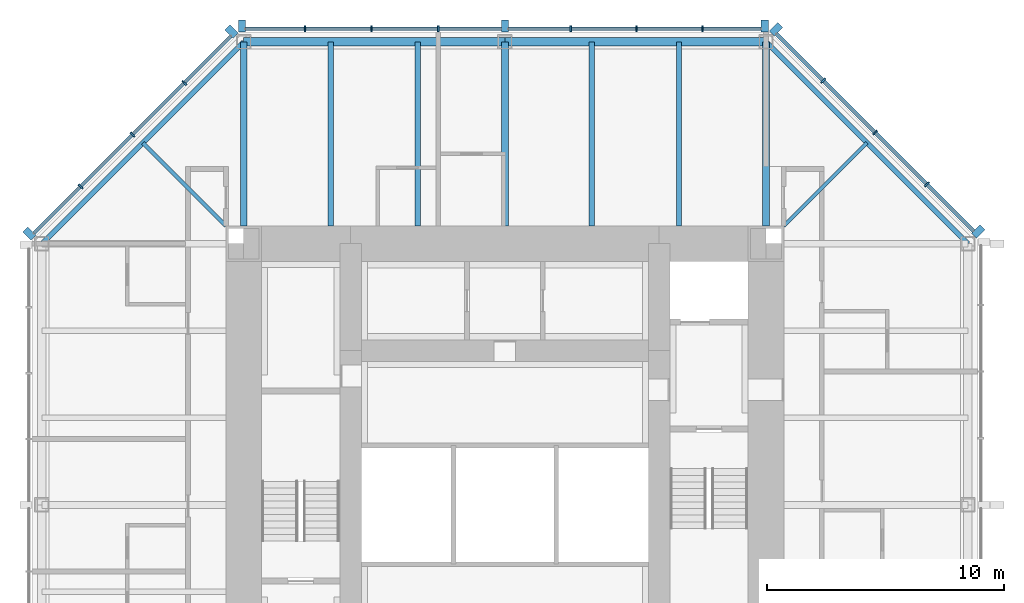
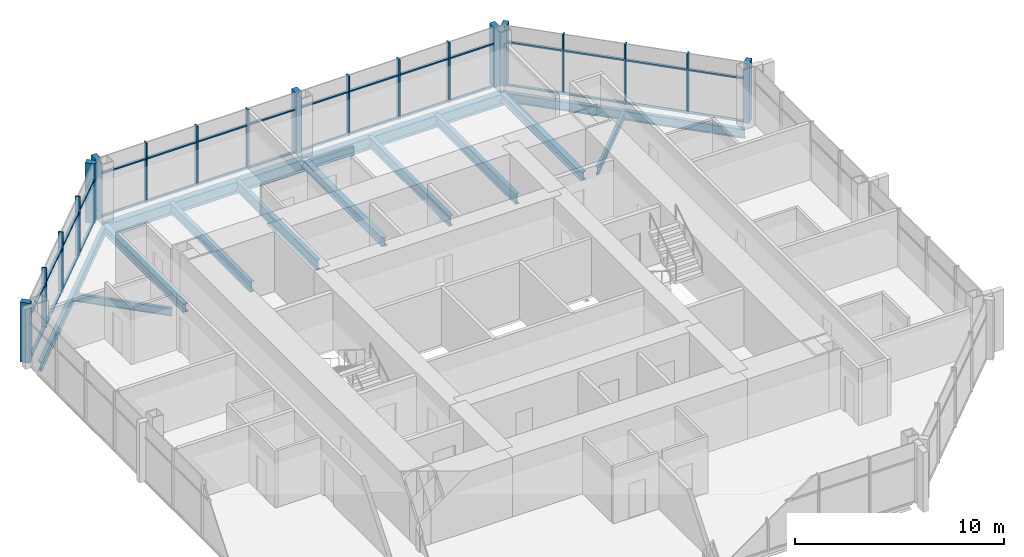
# One storey, part 5 of 11: 51 members, 13 beams, 3 elements without a shape of their own.
"""IFC4 building model written with IfcOpenShell, lengths in metres."""

from ifc_helpers import new_model, si_unit, direction, frame, origin, origin_2d, place, context, subcontext, project, spatial, rectangle, i_section, extrude, material, material_profile, profile_set, type_object, element, aggregate, save


model = new_model("IFC4")

# Units and contexts
model_context = context("Model", 3, precision=1e-05, world=origin(), true_north=direction((0.0, 1.0)))
body_context = subcontext(model_context, "Body", "Model", "MODEL_VIEW")
ifc_project = project(units=[si_unit("LENGTHUNIT", "METRE"), si_unit("AREAUNIT", "SQUARE_METRE"), si_unit("VOLUMEUNIT", "CUBIC_METRE"), si_unit("PLANEANGLEUNIT", "RADIAN"), si_unit("MASSUNIT", "GRAM", prefix="KILO")], contexts=[model_context])

# Site, building, storey
site_placement = place(None, origin())
site = spatial("IfcSite", under=ifc_project, at=site_placement, CompositionType="ELEMENT")
building_placement = place(site_placement, origin())
building = spatial("IfcBuilding", under=site, at=building_placement, Name="Trevanion Tower", CompositionType="ELEMENT")
storey_placement = place(building_placement, frame((0.0, 0.0, 239.699951171875)))
storey = spatial("IfcBuildingStorey", under=building, at=storey_placement, Name="L58", CompositionType="ELEMENT", Elevation=239.699951171875)

# Beams
ifc_material_1 = material(Name="Steel ASTM A992 Grade 50", Category="steel")
ifc_material_profile_1 = material_profile(ifc_material_1, i_section(OverallWidth=0.228271484375, OverallDepth=0.607177734375, WebThickness=0.01123046875, FlangeThickness=0.017333984375, at=origin_2d()), Name="W24X76")
ifc_profile_set_1 = profile_set([ifc_material_profile_1], Name="Steel ASTM A992 Grade 50")
beam_type_1 = type_object("IfcBeamType", Name="B11 W24X76", PredefinedType="BEAM", material=ifc_profile_set_1)
for number, where, z_axis, x_axis, name in (
    (1, (7.333251953125, 11.75, -0.493408203125), (0.0, 1.0, 0.0), (-1.0, 0.0, 0.0), "B11 L58"),
    (2, (3.666748046875, 11.75, -0.493408203125), (0.0, 1.0, 0.0), (-1.0, 0.0, 0.0), "B11 L58"),
    (3, (-3.666748046875, 11.75, -0.493408203125), (0.0, 1.0, 0.0), (-1.0, 0.0, 0.0), "B11 L58"),
    (4, (-7.333251953125, 11.75, -0.493408203125), (0.0, 1.0, 0.0), (-1.0, 0.0, 0.0), "B11 L58"),
):
    element("IfcBeam", number, at=place(storey_placement, frame(where, z_axis=z_axis, x_axis=x_axis)), inside=storey, type_object=beam_type_1, Name=name, PredefinedType="BEAM", context=body_context, shape_type="SweptSolid", body=[
        extrude(i_section(OverallWidth=0.228271484375, OverallDepth=0.607177734375, WebThickness=0.01123046875, FlangeThickness=0.017333984375, at=origin_2d()), origin(), (0.0, 0.0, 1.0), 7.75),
    ])
ifc_material_2 = material(Name="Steel ASTM A992 Grade 50", Category="steel")
ifc_material_profile_2 = material_profile(ifc_material_2, i_section(OverallWidth=0.15234375, OverallDepth=0.449462890625, WebThickness=0.007568359375, FlangeThickness=0.0107421875, at=origin_2d()), Name="W18X35")
ifc_profile_set_2 = profile_set([ifc_material_profile_2], Name="Steel ASTM A992 Grade 50")
beam_type_2 = type_object("IfcBeamType", Name="B12 W18X35", PredefinedType="BEAM", material=ifc_profile_set_2)
for number, where, z_axis, x_axis, name in (
    (5, (11.75, 11.75, -0.414794921875), (0.707106781187, 0.707106781187, 0.0), (-0.707106781187, 0.707106781187, 0.0), "B12 L58"),
    (6, (-11.75, 11.75, -0.414794921875), (-0.707106781187, 0.707106781187, 0.0), (-0.707106781187, -0.707106781187, 0.0), "B12 L58"),
):
    element("IfcBeam", number, at=place(storey_placement, frame(where, z_axis=z_axis, x_axis=x_axis)), inside=storey, type_object=beam_type_2, Name=name, PredefinedType="BEAM", context=body_context, shape_type="SweptSolid", body=[
        extrude(i_section(OverallWidth=0.15234375, OverallDepth=0.449462890625, WebThickness=0.007568359375, FlangeThickness=0.0107421875, at=origin_2d()), origin(), (0.0, 0.0, 1.0), 4.94970703125),
    ])

# Curtain wall, members
ifc_material_3 = material(Name="Aluminium and glass", Category="aluminium")
curtain_wall_type = type_object("IfcCurtainWallType", Name="CW3 curtain wall", PredefinedType="USERDEFINED", material=ifc_material_3)
curtain_wall_1_placement = place(storey_placement, origin())
curtain_wall_1 = element("IfcCurtainWall", 7, at=curtain_wall_1_placement, inside=storey, type_object=curtain_wall_type, Name="CW3 L58 1", ObjectType="UNITISED CURTAIN WALL", PredefinedType="USERDEFINED")
ifc_material_4 = material(Name="Aluminium extrusion, anodised bronze", Category="aluminium")
ifc_material_profile_3 = material_profile(ifc_material_4, rectangle(XDim=0.074951171875, YDim=0.25, at=origin_2d()), Name="CW3 mullion")
ifc_profile_set_3 = profile_set([ifc_material_profile_3], Name="Aluminium extrusion, anodised bronze")
member_type_1 = type_object("IfcMemberType", Name="CW3 mullion", PredefinedType="MULLION", material=ifc_profile_set_3)
member_1_placement = place(storey_placement, frame((17.775390625, 13.502197265625, -0.18994140625), z_axis=(0.0, 0.0, 1.0), x_axis=(-0.707106781187, 0.707106781187, 0.0)))
member_1 = element("IfcMember", 8, at=member_1_placement, type_object=member_type_1, Name="CW3 mullion 2", PredefinedType="MULLION", context=body_context, shape_type="SweptSolid", body=[
    extrude(rectangle(XDim=0.074951171875, YDim=0.25, at=origin_2d()), origin(), (0.0, 0.0, 1.0), 3.5),
])
member_2_placement = place(storey_placement, frame((15.593017578125, 15.684814453125, -0.18994140625), z_axis=(0.0, 0.0, 1.0), x_axis=(-0.707106781187, 0.707106781187, 0.0)))
member_2 = element("IfcMember", 9, at=member_2_placement, type_object=member_type_1, Name="CW3 mullion 3", PredefinedType="MULLION", context=body_context, shape_type="SweptSolid", body=[
    extrude(rectangle(XDim=0.074951171875, YDim=0.25, at=origin_2d()), origin(), (0.0, 0.0, 1.0), 3.5),
])
member_3_placement = place(storey_placement, frame((13.410400390625, 17.867431640625, -0.18994140625), z_axis=(0.0, 0.0, 1.0), x_axis=(-0.707106781187, 0.707106781187, 0.0)))
member_3 = element("IfcMember", 10, at=member_3_placement, type_object=member_type_1, Name="CW3 mullion 4", PredefinedType="MULLION", context=body_context, shape_type="SweptSolid", body=[
    extrude(rectangle(XDim=0.074951171875, YDim=0.25, at=origin_2d()), origin(), (0.0, 0.0, 1.0), 3.5),
])

curtain_wall_2_placement = place(storey_placement, origin())
curtain_wall_2 = element("IfcCurtainWall", 11, at=curtain_wall_2_placement, inside=storey, type_object=curtain_wall_type, Name="CW3 L58 2", ObjectType="UNITISED CURTAIN WALL", PredefinedType="USERDEFINED")
member_4_placement = place(storey_placement, frame((8.323486328125, 20.050048828125, -0.18994140625), z_axis=(0.0, 0.0, 1.0), x_axis=(-1.0, 0.0, 0.0)))
member_4 = element("IfcMember", 12, at=member_4_placement, type_object=member_type_1, Name="CW3 mullion 2", PredefinedType="MULLION", context=body_context, shape_type="SweptSolid", body=[
    extrude(rectangle(XDim=0.074951171875, YDim=0.25, at=origin_2d()), origin(), (0.0, 0.0, 1.0), 3.5),
])
member_5_placement = place(storey_placement, frame((5.548828125, 20.050048828125, -0.18994140625), z_axis=(0.0, 0.0, 1.0), x_axis=(-1.0, 0.0, 0.0)))
member_5 = element("IfcMember", 13, at=member_5_placement, type_object=member_type_1, Name="CW3 mullion 3", PredefinedType="MULLION", context=body_context, shape_type="SweptSolid", body=[
    extrude(rectangle(XDim=0.074951171875, YDim=0.25, at=origin_2d()), origin(), (0.0, 0.0, 1.0), 3.5),
])
member_6_placement = place(storey_placement, frame((2.7744140625, 20.050048828125, -0.18994140625), z_axis=(0.0, 0.0, 1.0), x_axis=(-1.0, 0.0, 0.0)))
member_6 = element("IfcMember", 14, at=member_6_placement, type_object=member_type_1, Name="CW3 mullion 4", PredefinedType="MULLION", context=body_context, shape_type="SweptSolid", body=[
    extrude(rectangle(XDim=0.074951171875, YDim=0.25, at=origin_2d()), origin(), (0.0, 0.0, 1.0), 3.5),
])
member_7_placement = place(storey_placement, frame((-2.806884765625, 20.050048828125, -0.18994140625), z_axis=(0.0, 0.0, 1.0), x_axis=(-1.0, 0.0, 0.0)))
member_7 = element("IfcMember", 15, at=member_7_placement, type_object=member_type_1, Name="CW3 mullion 6", PredefinedType="MULLION", context=body_context, shape_type="SweptSolid", body=[
    extrude(rectangle(XDim=0.074951171875, YDim=0.25, at=origin_2d()), origin(), (0.0, 0.0, 1.0), 3.5),
])
member_8_placement = place(storey_placement, frame((-5.614013671875, 20.050048828125, -0.18994140625), z_axis=(0.0, 0.0, 1.0), x_axis=(-1.0, 0.0, 0.0)))
member_8 = element("IfcMember", 16, at=member_8_placement, type_object=member_type_1, Name="CW3 mullion 7", PredefinedType="MULLION", context=body_context, shape_type="SweptSolid", body=[
    extrude(rectangle(XDim=0.074951171875, YDim=0.25, at=origin_2d()), origin(), (0.0, 0.0, 1.0), 3.5),
])
member_9_placement = place(storey_placement, frame((-8.4208984375, 20.050048828125, -0.18994140625), z_axis=(0.0, 0.0, 1.0), x_axis=(-1.0, 0.0, 0.0)))
member_9 = element("IfcMember", 17, at=member_9_placement, type_object=member_type_1, Name="CW3 mullion 8", PredefinedType="MULLION", context=body_context, shape_type="SweptSolid", body=[
    extrude(rectangle(XDim=0.074951171875, YDim=0.25, at=origin_2d()), origin(), (0.0, 0.0, 1.0), 3.5),
])

curtain_wall_3_placement = place(storey_placement, origin())
curtain_wall_3 = element("IfcCurtainWall", 18, at=curtain_wall_3_placement, inside=storey, type_object=curtain_wall_type, Name="CW3 L58 3", ObjectType="UNITISED CURTAIN WALL", PredefinedType="USERDEFINED")
member_10_placement = place(storey_placement, frame((-13.502197265625, 17.775390625, -0.18994140625), z_axis=(0.0, 0.0, 1.0), x_axis=(-0.707106781187, -0.707106781187, 0.0)))
member_10 = element("IfcMember", 19, at=member_10_placement, type_object=member_type_1, Name="CW3 mullion 2", PredefinedType="MULLION", context=body_context, shape_type="SweptSolid", body=[
    extrude(rectangle(XDim=0.074951171875, YDim=0.25, at=origin_2d()), origin(), (0.0, 0.0, 1.0), 3.5),
])
member_11_placement = place(storey_placement, frame((-15.684814453125, 15.593017578125, -0.18994140625), z_axis=(0.0, 0.0, 1.0), x_axis=(-0.707106781187, -0.707106781187, 0.0)))
member_11 = element("IfcMember", 20, at=member_11_placement, type_object=member_type_1, Name="CW3 mullion 3", PredefinedType="MULLION", context=body_context, shape_type="SweptSolid", body=[
    extrude(rectangle(XDim=0.074951171875, YDim=0.25, at=origin_2d()), origin(), (0.0, 0.0, 1.0), 3.5),
])
member_12_placement = place(storey_placement, frame((-17.867431640625, 13.410400390625, -0.18994140625), z_axis=(0.0, 0.0, 1.0), x_axis=(-0.707106781187, -0.707106781187, 0.0)))
member_12 = element("IfcMember", 21, at=member_12_placement, type_object=member_type_1, Name="CW3 mullion 4", PredefinedType="MULLION", context=body_context, shape_type="SweptSolid", body=[
    extrude(rectangle(XDim=0.074951171875, YDim=0.25, at=origin_2d()), origin(), (0.0, 0.0, 1.0), 3.5),
])

# Member
ifc_material_5 = material(Name="Aluminium extrusion, anodised bronze", Category="aluminium")
ifc_material_profile_4 = material_profile(ifc_material_5, rectangle(XDim=0.300048828125, YDim=0.5, at=origin_2d()), Name="CW3 pier mullion")
ifc_profile_set_4 = profile_set([ifc_material_profile_4], Name="Aluminium extrusion, anodised bronze")
member_type_2 = type_object("IfcMemberType", Name="CW3 pier mullion", PredefinedType="MULLION", material=ifc_profile_set_4)
member_13_placement = place(storey_placement, frame((19.9404296875, 11.51416015625, -0.18994140625), z_axis=(0.0, 0.0, 1.0), x_axis=(-0.707106781187, 0.707106781187, 0.0)))
member_13 = element("IfcMember", 22, at=member_13_placement, type_object=member_type_2, Name="CW3 pier mullion 1", PredefinedType="MULLION", context=body_context, shape_type="SweptSolid", body=[
    extrude(rectangle(XDim=0.300048828125, YDim=0.5, at=origin_2d()), origin(), (0.0, 0.0, 1.0), 3.5),
])

member_14_placement = place(storey_placement, frame((11.42236328125, 20.0322265625, -0.18994140625), z_axis=(0.0, 0.0, 1.0), x_axis=(-0.707106781187, 0.707106781187, 0.0)))
member_14 = element("IfcMember", 23, at=member_14_placement, type_object=member_type_2, Name="CW3 pier mullion 5", PredefinedType="MULLION", context=body_context, shape_type="SweptSolid", body=[
    extrude(rectangle(XDim=0.300048828125, YDim=0.5, at=origin_2d()), origin(), (0.0, 0.0, 1.0), 3.5),
])

member_15_placement = place(storey_placement, frame((10.94775390625, 20.175048828125, -0.18994140625), z_axis=(0.0, 0.0, 1.0), x_axis=(-1.0, 0.0, 0.0)))
member_15 = element("IfcMember", 24, at=member_15_placement, type_object=member_type_2, Name="CW3 pier mullion 1", PredefinedType="MULLION", context=body_context, shape_type="SweptSolid", body=[
    extrude(rectangle(XDim=0.300048828125, YDim=0.5, at=origin_2d()), origin(), (0.0, 0.0, 1.0), 3.5),
])

member_16_placement = place(storey_placement, frame((0.0, 20.175048828125, -0.18994140625), z_axis=(0.0, 0.0, 1.0), x_axis=(-1.0, 0.0, 0.0)))
member_16 = element("IfcMember", 25, at=member_16_placement, type_object=member_type_2, Name="CW3 pier mullion 5", PredefinedType="MULLION", context=body_context, shape_type="SweptSolid", body=[
    extrude(rectangle(XDim=0.300048828125, YDim=0.5, at=origin_2d()), origin(), (0.0, 0.0, 1.0), 3.5),
])

member_17_placement = place(storey_placement, frame((-11.077880859375, 20.175048828125, -0.18994140625), z_axis=(0.0, 0.0, 1.0), x_axis=(-1.0, 0.0, 0.0)))
member_17 = element("IfcMember", 26, at=member_17_placement, type_object=member_type_2, Name="CW3 pier mullion 9", PredefinedType="MULLION", context=body_context, shape_type="SweptSolid", body=[
    extrude(rectangle(XDim=0.300048828125, YDim=0.5, at=origin_2d()), origin(), (0.0, 0.0, 1.0), 3.5),
])

member_18_placement = place(storey_placement, frame((-11.51416015625, 19.9404296875, -0.18994140625), z_axis=(0.0, 0.0, 1.0), x_axis=(-0.707106781187, -0.707106781187, 0.0)))
member_18 = element("IfcMember", 27, at=member_18_placement, type_object=member_type_2, Name="CW3 pier mullion 1", PredefinedType="MULLION", context=body_context, shape_type="SweptSolid", body=[
    extrude(rectangle(XDim=0.300048828125, YDim=0.5, at=origin_2d()), origin(), (0.0, 0.0, 1.0), 3.5),
])

member_19_placement = place(storey_placement, frame((-20.0322265625, 11.42236328125, -0.18994140625), z_axis=(0.0, 0.0, 1.0), x_axis=(-0.707106781187, -0.707106781187, 0.0)))
member_19 = element("IfcMember", 28, at=member_19_placement, type_object=member_type_2, Name="CW3 pier mullion 5", PredefinedType="MULLION", context=body_context, shape_type="SweptSolid", body=[
    extrude(rectangle(XDim=0.300048828125, YDim=0.5, at=origin_2d()), origin(), (0.0, 0.0, 1.0), 3.5),
])

ifc_material_6 = material(Name="Aluminium extrusion, anodised bronze", Category="aluminium")
ifc_material_profile_5 = material_profile(ifc_material_6, rectangle(XDim=0.14990234375, YDim=0.074951171875, at=origin_2d()), Name="CW3 transom")
ifc_profile_set_5 = profile_set([ifc_material_profile_5], Name="Aluminium extrusion, anodised bronze")
member_type_3 = type_object("IfcMemberType", Name="CW3 transom", PredefinedType="USERDEFINED", material=ifc_profile_set_5)
member_20_placement = place(storey_placement, frame((19.745849609375, 11.531982421875, -0.15234375), z_axis=(-0.707106781187, 0.707106781187, 0.0), x_axis=(-0.707106781187, -0.707106781187, 0.0)))
member_20 = element("IfcMember", 29, at=member_20_placement, type_object=member_type_3, Name="CW3 transom 1.1", ObjectType="TRANSOM", PredefinedType="USERDEFINED", context=body_context, shape_type="SweptSolid", body=[
    extrude(rectangle(XDim=0.14990234375, YDim=0.074951171875, at=origin_2d()), origin(), (0.0, 0.0, 1.0), 2.7490234375),
])

member_21_placement = place(storey_placement, frame((19.745849609375, 11.531982421875, 2.360107421875), z_axis=(-0.707106781187, 0.707106781187, 0.0), x_axis=(-0.707106781187, -0.707106781187, 0.0)))
member_21 = element("IfcMember", 30, at=member_21_placement, type_object=member_type_3, Name="CW3 transom 1.2", ObjectType="TRANSOM", PredefinedType="USERDEFINED", context=body_context, shape_type="SweptSolid", body=[
    extrude(rectangle(XDim=0.14990234375, YDim=0.074951171875, at=origin_2d()), origin(), (0.0, 0.0, 1.0), 2.7490234375),
])

member_22_placement = place(storey_placement, frame((17.7490234375, 13.52880859375, -0.15234375), z_axis=(-0.707106781187, 0.707106781187, 0.0), x_axis=(-0.707106781187, -0.707106781187, 0.0)))
member_22 = element("IfcMember", 31, at=member_22_placement, type_object=member_type_3, Name="CW3 transom 2.1", ObjectType="TRANSOM", PredefinedType="USERDEFINED", context=body_context, shape_type="SweptSolid", body=[
    extrude(rectangle(XDim=0.14990234375, YDim=0.074951171875, at=origin_2d()), origin(), (0.0, 0.0, 1.0), 3.01171875),
])

member_23_placement = place(storey_placement, frame((17.7490234375, 13.52880859375, 2.360107421875), z_axis=(-0.707106781187, 0.707106781187, 0.0), x_axis=(-0.707106781187, -0.707106781187, 0.0)))
member_23 = element("IfcMember", 32, at=member_23_placement, type_object=member_type_3, Name="CW3 transom 2.2", ObjectType="TRANSOM", PredefinedType="USERDEFINED", context=body_context, shape_type="SweptSolid", body=[
    extrude(rectangle(XDim=0.14990234375, YDim=0.074951171875, at=origin_2d()), origin(), (0.0, 0.0, 1.0), 3.01171875),
])

member_24_placement = place(storey_placement, frame((15.56640625, 15.71142578125, -0.15234375), z_axis=(-0.707106781187, 0.707106781187, 0.0), x_axis=(-0.707106781187, -0.707106781187, 0.0)))
member_24 = element("IfcMember", 33, at=member_24_placement, type_object=member_type_3, Name="CW3 transom 3.1", ObjectType="TRANSOM", PredefinedType="USERDEFINED", context=body_context, shape_type="SweptSolid", body=[
    extrude(rectangle(XDim=0.14990234375, YDim=0.074951171875, at=origin_2d()), origin(), (0.0, 0.0, 1.0), 3.011474609375),
])

member_25_placement = place(storey_placement, frame((15.56640625, 15.71142578125, 2.360107421875), z_axis=(-0.707106781187, 0.707106781187, 0.0), x_axis=(-0.707106781187, -0.707106781187, 0.0)))
member_25 = element("IfcMember", 34, at=member_25_placement, type_object=member_type_3, Name="CW3 transom 3.2", ObjectType="TRANSOM", PredefinedType="USERDEFINED", context=body_context, shape_type="SweptSolid", body=[
    extrude(rectangle(XDim=0.14990234375, YDim=0.074951171875, at=origin_2d()), origin(), (0.0, 0.0, 1.0), 3.011474609375),
])

member_26_placement = place(storey_placement, frame((13.3837890625, 17.89404296875, -0.15234375), z_axis=(-0.707106781187, 0.707106781187, 0.0), x_axis=(-0.707106781187, -0.707106781187, 0.0)))
member_26 = element("IfcMember", 35, at=member_26_placement, type_object=member_type_3, Name="CW3 transom 4.1", ObjectType="TRANSOM", PredefinedType="USERDEFINED", context=body_context, shape_type="SweptSolid", body=[
    extrude(rectangle(XDim=0.14990234375, YDim=0.074951171875, at=origin_2d()), origin(), (0.0, 0.0, 1.0), 2.7490234375),
])

member_27_placement = place(storey_placement, frame((13.3837890625, 17.89404296875, 2.360107421875), z_axis=(-0.707106781187, 0.707106781187, 0.0), x_axis=(-0.707106781187, -0.707106781187, 0.0)))
member_27 = element("IfcMember", 36, at=member_27_placement, type_object=member_type_3, Name="CW3 transom 4.2", ObjectType="TRANSOM", PredefinedType="USERDEFINED", context=body_context, shape_type="SweptSolid", body=[
    extrude(rectangle(XDim=0.14990234375, YDim=0.074951171875, at=origin_2d()), origin(), (0.0, 0.0, 1.0), 2.7490234375),
])

aggregate(curtain_wall_1, [member_13, member_1, member_2, member_3, member_14, member_20, member_21, member_22, member_23, member_24, member_25, member_26, member_27])

member_28_placement = place(storey_placement, frame((10.7978515625, 20.050048828125, -0.15234375), z_axis=(-1.0, 0.0, 0.0), x_axis=(0.0, -1.0, 0.0)))
member_28 = element("IfcMember", 37, at=member_28_placement, type_object=member_type_3, Name="CW3 transom 1.1", ObjectType="TRANSOM", PredefinedType="USERDEFINED", context=body_context, shape_type="SweptSolid", body=[
    extrude(rectangle(XDim=0.14990234375, YDim=0.074951171875, at=origin_2d()), origin(), (0.0, 0.0, 1.0), 2.43701171875),
])

member_29_placement = place(storey_placement, frame((10.7978515625, 20.050048828125, 2.360107421875), z_axis=(-1.0, 0.0, 0.0), x_axis=(0.0, -1.0, 0.0)))
member_29 = element("IfcMember", 38, at=member_29_placement, type_object=member_type_3, Name="CW3 transom 1.2", ObjectType="TRANSOM", PredefinedType="USERDEFINED", context=body_context, shape_type="SweptSolid", body=[
    extrude(rectangle(XDim=0.14990234375, YDim=0.074951171875, at=origin_2d()), origin(), (0.0, 0.0, 1.0), 2.43701171875),
])

member_30_placement = place(storey_placement, frame((8.285888671875, 20.050048828125, -0.15234375), z_axis=(-1.0, 0.0, 0.0), x_axis=(0.0, -1.0, 0.0)))
member_30 = element("IfcMember", 39, at=member_30_placement, type_object=member_type_3, Name="CW3 transom 2.1", ObjectType="TRANSOM", PredefinedType="USERDEFINED", context=body_context, shape_type="SweptSolid", body=[
    extrude(rectangle(XDim=0.14990234375, YDim=0.074951171875, at=origin_2d()), origin(), (0.0, 0.0, 1.0), 2.699462890625),
])

member_31_placement = place(storey_placement, frame((8.285888671875, 20.050048828125, 2.360107421875), z_axis=(-1.0, 0.0, 0.0), x_axis=(0.0, -1.0, 0.0)))
member_31 = element("IfcMember", 40, at=member_31_placement, type_object=member_type_3, Name="CW3 transom 2.2", ObjectType="TRANSOM", PredefinedType="USERDEFINED", context=body_context, shape_type="SweptSolid", body=[
    extrude(rectangle(XDim=0.14990234375, YDim=0.074951171875, at=origin_2d()), origin(), (0.0, 0.0, 1.0), 2.699462890625),
])

member_32_placement = place(storey_placement, frame((5.511474609375, 20.050048828125, -0.15234375), z_axis=(-1.0, 0.0, 0.0), x_axis=(0.0, -1.0, 0.0)))
member_32 = element("IfcMember", 41, at=member_32_placement, type_object=member_type_3, Name="CW3 transom 3.1", ObjectType="TRANSOM", PredefinedType="USERDEFINED", context=body_context, shape_type="SweptSolid", body=[
    extrude(rectangle(XDim=0.14990234375, YDim=0.074951171875, at=origin_2d()), origin(), (0.0, 0.0, 1.0), 2.699462890625),
])

member_33_placement = place(storey_placement, frame((5.511474609375, 20.050048828125, 2.360107421875), z_axis=(-1.0, 0.0, 0.0), x_axis=(0.0, -1.0, 0.0)))
member_33 = element("IfcMember", 42, at=member_33_placement, type_object=member_type_3, Name="CW3 transom 3.2", ObjectType="TRANSOM", PredefinedType="USERDEFINED", context=body_context, shape_type="SweptSolid", body=[
    extrude(rectangle(XDim=0.14990234375, YDim=0.074951171875, at=origin_2d()), origin(), (0.0, 0.0, 1.0), 2.699462890625),
])

member_34_placement = place(storey_placement, frame((2.737060546875, 20.050048828125, -0.15234375), z_axis=(-1.0, 0.0, 0.0), x_axis=(0.0, -1.0, 0.0)))
member_34 = element("IfcMember", 43, at=member_34_placement, type_object=member_type_3, Name="CW3 transom 4.1", ObjectType="TRANSOM", PredefinedType="USERDEFINED", context=body_context, shape_type="SweptSolid", body=[
    extrude(rectangle(XDim=0.14990234375, YDim=0.074951171875, at=origin_2d()), origin(), (0.0, 0.0, 1.0), 2.587158203125),
])

member_35_placement = place(storey_placement, frame((2.737060546875, 20.050048828125, 2.360107421875), z_axis=(-1.0, 0.0, 0.0), x_axis=(0.0, -1.0, 0.0)))
member_35 = element("IfcMember", 44, at=member_35_placement, type_object=member_type_3, Name="CW3 transom 4.2", ObjectType="TRANSOM", PredefinedType="USERDEFINED", context=body_context, shape_type="SweptSolid", body=[
    extrude(rectangle(XDim=0.14990234375, YDim=0.074951171875, at=origin_2d()), origin(), (0.0, 0.0, 1.0), 2.587158203125),
])

member_36_placement = place(storey_placement, frame((-0.14990234375, 20.050048828125, -0.15234375), z_axis=(-1.0, 0.0, 0.0), x_axis=(0.0, -1.0, 0.0)))
member_36 = element("IfcMember", 45, at=member_36_placement, type_object=member_type_3, Name="CW3 transom 5.1", ObjectType="TRANSOM", PredefinedType="USERDEFINED", context=body_context, shape_type="SweptSolid", body=[
    extrude(rectangle(XDim=0.14990234375, YDim=0.074951171875, at=origin_2d()), origin(), (0.0, 0.0, 1.0), 2.619384765625),
])

member_37_placement = place(storey_placement, frame((-0.14990234375, 20.050048828125, 2.360107421875), z_axis=(-1.0, 0.0, 0.0), x_axis=(0.0, -1.0, 0.0)))
member_37 = element("IfcMember", 46, at=member_37_placement, type_object=member_type_3, Name="CW3 transom 5.2", ObjectType="TRANSOM", PredefinedType="USERDEFINED", context=body_context, shape_type="SweptSolid", body=[
    extrude(rectangle(XDim=0.14990234375, YDim=0.074951171875, at=origin_2d()), origin(), (0.0, 0.0, 1.0), 2.619384765625),
])

member_38_placement = place(storey_placement, frame((-2.844482421875, 20.050048828125, -0.15234375), z_axis=(-1.0, 0.0, 0.0), x_axis=(0.0, -1.0, 0.0)))
member_38 = element("IfcMember", 47, at=member_38_placement, type_object=member_type_3, Name="CW3 transom 6.1", ObjectType="TRANSOM", PredefinedType="USERDEFINED", context=body_context, shape_type="SweptSolid", body=[
    extrude(rectangle(XDim=0.14990234375, YDim=0.074951171875, at=origin_2d()), origin(), (0.0, 0.0, 1.0), 2.73193359375),
])

member_39_placement = place(storey_placement, frame((-2.844482421875, 20.050048828125, 2.360107421875), z_axis=(-1.0, 0.0, 0.0), x_axis=(0.0, -1.0, 0.0)))
member_39 = element("IfcMember", 48, at=member_39_placement, type_object=member_type_3, Name="CW3 transom 6.2", ObjectType="TRANSOM", PredefinedType="USERDEFINED", context=body_context, shape_type="SweptSolid", body=[
    extrude(rectangle(XDim=0.14990234375, YDim=0.074951171875, at=origin_2d()), origin(), (0.0, 0.0, 1.0), 2.73193359375),
])

member_40_placement = place(storey_placement, frame((-5.6513671875, 20.050048828125, -0.15234375), z_axis=(-1.0, 0.0, 0.0), x_axis=(0.0, -1.0, 0.0)))
member_40 = element("IfcMember", 49, at=member_40_placement, type_object=member_type_3, Name="CW3 transom 7.1", ObjectType="TRANSOM", PredefinedType="USERDEFINED", context=body_context, shape_type="SweptSolid", body=[
    extrude(rectangle(XDim=0.14990234375, YDim=0.074951171875, at=origin_2d()), origin(), (0.0, 0.0, 1.0), 2.73193359375),
])

member_41_placement = place(storey_placement, frame((-5.6513671875, 20.050048828125, 2.360107421875), z_axis=(-1.0, 0.0, 0.0), x_axis=(0.0, -1.0, 0.0)))
member_41 = element("IfcMember", 50, at=member_41_placement, type_object=member_type_3, Name="CW3 transom 7.2", ObjectType="TRANSOM", PredefinedType="USERDEFINED", context=body_context, shape_type="SweptSolid", body=[
    extrude(rectangle(XDim=0.14990234375, YDim=0.074951171875, at=origin_2d()), origin(), (0.0, 0.0, 1.0), 2.73193359375),
])

member_42_placement = place(storey_placement, frame((-8.45849609375, 20.050048828125, -0.15234375), z_axis=(-1.0, 0.0, 0.0), x_axis=(0.0, -1.0, 0.0)))
member_42 = element("IfcMember", 51, at=member_42_placement, type_object=member_type_3, Name="CW3 transom 8.1", ObjectType="TRANSOM", PredefinedType="USERDEFINED", context=body_context, shape_type="SweptSolid", body=[
    extrude(rectangle(XDim=0.14990234375, YDim=0.074951171875, at=origin_2d()), origin(), (0.0, 0.0, 1.0), 2.46923828125),
])

member_43_placement = place(storey_placement, frame((-8.45849609375, 20.050048828125, 2.360107421875), z_axis=(-1.0, 0.0, 0.0), x_axis=(0.0, -1.0, 0.0)))
member_43 = element("IfcMember", 52, at=member_43_placement, type_object=member_type_3, Name="CW3 transom 8.2", ObjectType="TRANSOM", PredefinedType="USERDEFINED", context=body_context, shape_type="SweptSolid", body=[
    extrude(rectangle(XDim=0.14990234375, YDim=0.074951171875, at=origin_2d()), origin(), (0.0, 0.0, 1.0), 2.46923828125),
])

aggregate(curtain_wall_2, [member_15, member_4, member_5, member_6, member_16, member_7, member_8, member_9, member_17, member_28, member_29, member_30, member_31, member_32, member_33, member_34, member_35, member_36, member_37, member_38, member_39, member_40, member_41, member_42, member_43])

member_44_placement = place(storey_placement, frame((-11.531982421875, 19.745849609375, -0.15234375), z_axis=(-0.707106781187, -0.707106781187, 0.0), x_axis=(0.707106781187, -0.707106781187, 0.0)))
member_44 = element("IfcMember", 53, at=member_44_placement, type_object=member_type_3, Name="CW3 transom 1.1", ObjectType="TRANSOM", PredefinedType="USERDEFINED", context=body_context, shape_type="SweptSolid", body=[
    extrude(rectangle(XDim=0.14990234375, YDim=0.074951171875, at=origin_2d()), origin(), (0.0, 0.0, 1.0), 2.7490234375),
])

member_45_placement = place(storey_placement, frame((-11.531982421875, 19.745849609375, 2.360107421875), z_axis=(-0.707106781187, -0.707106781187, 0.0), x_axis=(0.707106781187, -0.707106781187, 0.0)))
member_45 = element("IfcMember", 54, at=member_45_placement, type_object=member_type_3, Name="CW3 transom 1.2", ObjectType="TRANSOM", PredefinedType="USERDEFINED", context=body_context, shape_type="SweptSolid", body=[
    extrude(rectangle(XDim=0.14990234375, YDim=0.074951171875, at=origin_2d()), origin(), (0.0, 0.0, 1.0), 2.7490234375),
])

member_46_placement = place(storey_placement, frame((-13.52880859375, 17.7490234375, -0.15234375), z_axis=(-0.707106781187, -0.707106781187, 0.0), x_axis=(0.707106781187, -0.707106781187, 0.0)))
member_46 = element("IfcMember", 55, at=member_46_placement, type_object=member_type_3, Name="CW3 transom 2.1", ObjectType="TRANSOM", PredefinedType="USERDEFINED", context=body_context, shape_type="SweptSolid", body=[
    extrude(rectangle(XDim=0.14990234375, YDim=0.074951171875, at=origin_2d()), origin(), (0.0, 0.0, 1.0), 3.01171875),
])

member_47_placement = place(storey_placement, frame((-13.52880859375, 17.7490234375, 2.360107421875), z_axis=(-0.707106781187, -0.707106781187, 0.0), x_axis=(0.707106781187, -0.707106781187, 0.0)))
member_47 = element("IfcMember", 56, at=member_47_placement, type_object=member_type_3, Name="CW3 transom 2.2", ObjectType="TRANSOM", PredefinedType="USERDEFINED", context=body_context, shape_type="SweptSolid", body=[
    extrude(rectangle(XDim=0.14990234375, YDim=0.074951171875, at=origin_2d()), origin(), (0.0, 0.0, 1.0), 3.01171875),
])

member_48_placement = place(storey_placement, frame((-15.71142578125, 15.56640625, -0.15234375), z_axis=(-0.707106781187, -0.707106781187, 0.0), x_axis=(0.707106781187, -0.707106781187, 0.0)))
member_48 = element("IfcMember", 57, at=member_48_placement, type_object=member_type_3, Name="CW3 transom 3.1", ObjectType="TRANSOM", PredefinedType="USERDEFINED", context=body_context, shape_type="SweptSolid", body=[
    extrude(rectangle(XDim=0.14990234375, YDim=0.074951171875, at=origin_2d()), origin(), (0.0, 0.0, 1.0), 3.011474609375),
])

member_49_placement = place(storey_placement, frame((-15.71142578125, 15.56640625, 2.360107421875), z_axis=(-0.707106781187, -0.707106781187, 0.0), x_axis=(0.707106781187, -0.707106781187, 0.0)))
member_49 = element("IfcMember", 58, at=member_49_placement, type_object=member_type_3, Name="CW3 transom 3.2", ObjectType="TRANSOM", PredefinedType="USERDEFINED", context=body_context, shape_type="SweptSolid", body=[
    extrude(rectangle(XDim=0.14990234375, YDim=0.074951171875, at=origin_2d()), origin(), (0.0, 0.0, 1.0), 3.011474609375),
])

member_50_placement = place(storey_placement, frame((-17.89404296875, 13.3837890625, -0.15234375), z_axis=(-0.707106781187, -0.707106781187, 0.0), x_axis=(0.707106781187, -0.707106781187, 0.0)))
member_50 = element("IfcMember", 59, at=member_50_placement, type_object=member_type_3, Name="CW3 transom 4.1", ObjectType="TRANSOM", PredefinedType="USERDEFINED", context=body_context, shape_type="SweptSolid", body=[
    extrude(rectangle(XDim=0.14990234375, YDim=0.074951171875, at=origin_2d()), origin(), (0.0, 0.0, 1.0), 2.7490234375),
])

member_51_placement = place(storey_placement, frame((-17.89404296875, 13.3837890625, 2.360107421875), z_axis=(-0.707106781187, -0.707106781187, 0.0), x_axis=(0.707106781187, -0.707106781187, 0.0)))
member_51 = element("IfcMember", 60, at=member_51_placement, type_object=member_type_3, Name="CW3 transom 4.2", ObjectType="TRANSOM", PredefinedType="USERDEFINED", context=body_context, shape_type="SweptSolid", body=[
    extrude(rectangle(XDim=0.14990234375, YDim=0.074951171875, at=origin_2d()), origin(), (0.0, 0.0, 1.0), 2.7490234375),
])

aggregate(curtain_wall_3, [member_18, member_10, member_11, member_12, member_19, member_44, member_45, member_46, member_47, member_48, member_49, member_50, member_51])

# Beams
ifc_material_7 = material(Name="Steel ASTM A992 Grade 50", Category="steel")
ifc_material_profile_6 = material_profile(ifc_material_7, i_section(OverallWidth=0.28955078125, OverallDepth=0.508056640625, WebThickness=0.022705078125, FlangeThickness=0.040283203125, at=origin_2d()), Name="W18X175")
ifc_profile_set_6 = profile_set([ifc_material_profile_6], Name="Steel ASTM A992 Grade 50")
beam_type_3 = type_object("IfcBeamType", Name="G6 W18X175", PredefinedType="BEAM", material=ifc_profile_set_6)
for number, where, z_axis, x_axis, name in (
    (61, (11.0, 11.75, -0.44384765625), (0.0, 1.0, 0.0), (-1.0, 0.0, 0.0), "G6 L58"),
    (62, (0.0, 11.75, -0.44384765625), (0.0, 1.0, 0.0), (-1.0, 0.0, 0.0), "G6 L58"),
    (63, (-11.0, 11.75, -0.44384765625), (0.0, 1.0, 0.0), (-1.0, 0.0, 0.0), "G6 L58"),
):
    element("IfcBeam", number, at=place(storey_placement, frame(where, z_axis=z_axis, x_axis=x_axis)), inside=storey, type_object=beam_type_3, Name=name, PredefinedType="BEAM", context=body_context, shape_type="SweptSolid", body=[
        extrude(i_section(OverallWidth=0.28955078125, OverallDepth=0.508056640625, WebThickness=0.022705078125, FlangeThickness=0.040283203125, at=origin_2d()), origin(), (0.0, 0.0, 1.0), 7.75),
    ])
ifc_material_8 = material(Name="Steel ASTM A992 Grade 50", Category="steel")
ifc_material_profile_7 = material_profile(ifc_material_8, i_section(OverallWidth=0.355712890625, OverallDepth=0.696044921875, WebThickness=0.015380859375, FlangeThickness=0.024658203125, at=origin_2d()), Name="W27X146")
ifc_profile_set_7 = profile_set([ifc_material_profile_7], Name="Steel ASTM A992 Grade 50")
beam_type_4 = type_object("IfcBeamType", Name="SB8 W27X146", PredefinedType="SPANDREL", material=ifc_profile_set_7)
for number, where, z_axis, x_axis, name in (
    (64, (11.0, 19.5, -0.537841796875), (-1.0, 0.0, 0.0), (0.0, -1.0, 0.0), "SB8 L58"),
    (65, (0.0, 19.5, -0.537841796875), (-1.0, 0.0, 0.0), (0.0, -1.0, 0.0), "SB8 L58"),
):
    element("IfcBeam", number, at=place(storey_placement, frame(where, z_axis=z_axis, x_axis=x_axis)), inside=storey, type_object=beam_type_4, Name=name, PredefinedType="SPANDREL", context=body_context, shape_type="SweptSolid", body=[
        extrude(i_section(OverallWidth=0.355712890625, OverallDepth=0.696044921875, WebThickness=0.015380859375, FlangeThickness=0.024658203125, at=origin_2d()), origin(), (0.0, 0.0, 1.0), 11.0),
    ])
ifc_material_9 = material(Name="Steel ASTM A992 Grade 50", Category="steel")
ifc_material_profile_8 = material_profile(ifc_material_9, i_section(OverallWidth=0.209228515625, OverallDepth=0.533447265625, WebThickness=0.01025390625, FlangeThickness=0.015625, at=origin_2d()), Name="W21X62")
ifc_profile_set_8 = profile_set([ifc_material_profile_8], Name="Steel ASTM A992 Grade 50")
beam_type_5 = type_object("IfcBeamType", Name="SB9 W21X62", PredefinedType="SPANDREL", material=ifc_profile_set_8)
for number, where, z_axis, x_axis, name in (
    (66, (19.5, 11.0, -0.45654296875), (-0.707106781187, 0.707106781187, 0.0), (-0.707106781187, -0.707106781187, 0.0), "SB9 L58"),
    (67, (-11.0, 19.5, -0.45654296875), (-0.707106781187, -0.707106781187, 0.0), (0.707106781187, -0.707106781187, 0.0), "SB9 L58"),
):
    element("IfcBeam", number, at=place(storey_placement, frame(where, z_axis=z_axis, x_axis=x_axis)), inside=storey, type_object=beam_type_5, Name=name, PredefinedType="SPANDREL", context=body_context, shape_type="SweptSolid", body=[
        extrude(i_section(OverallWidth=0.209228515625, OverallDepth=0.533447265625, WebThickness=0.01025390625, FlangeThickness=0.015625, at=origin_2d()), origin(), (0.0, 0.0, 1.0), 12.020751953125),
    ])

save(model, "model.ifc")
